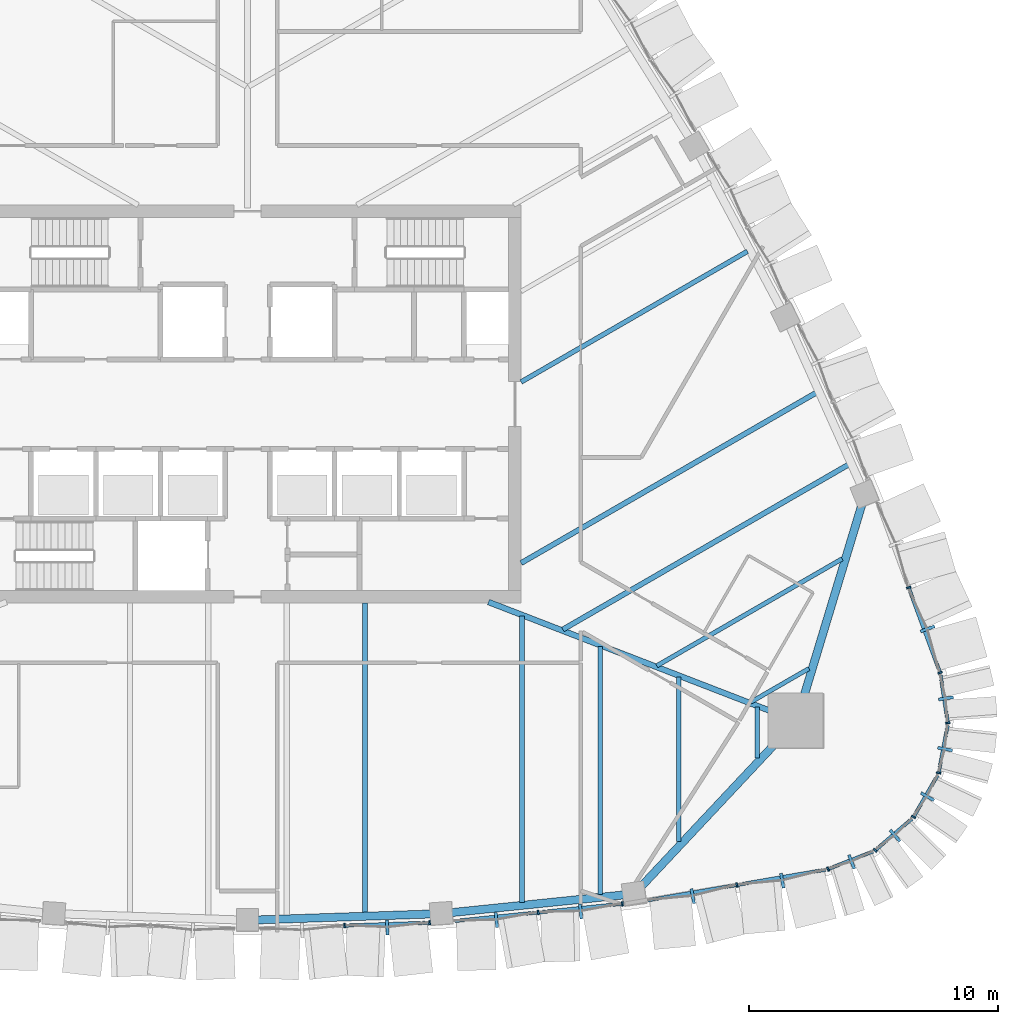
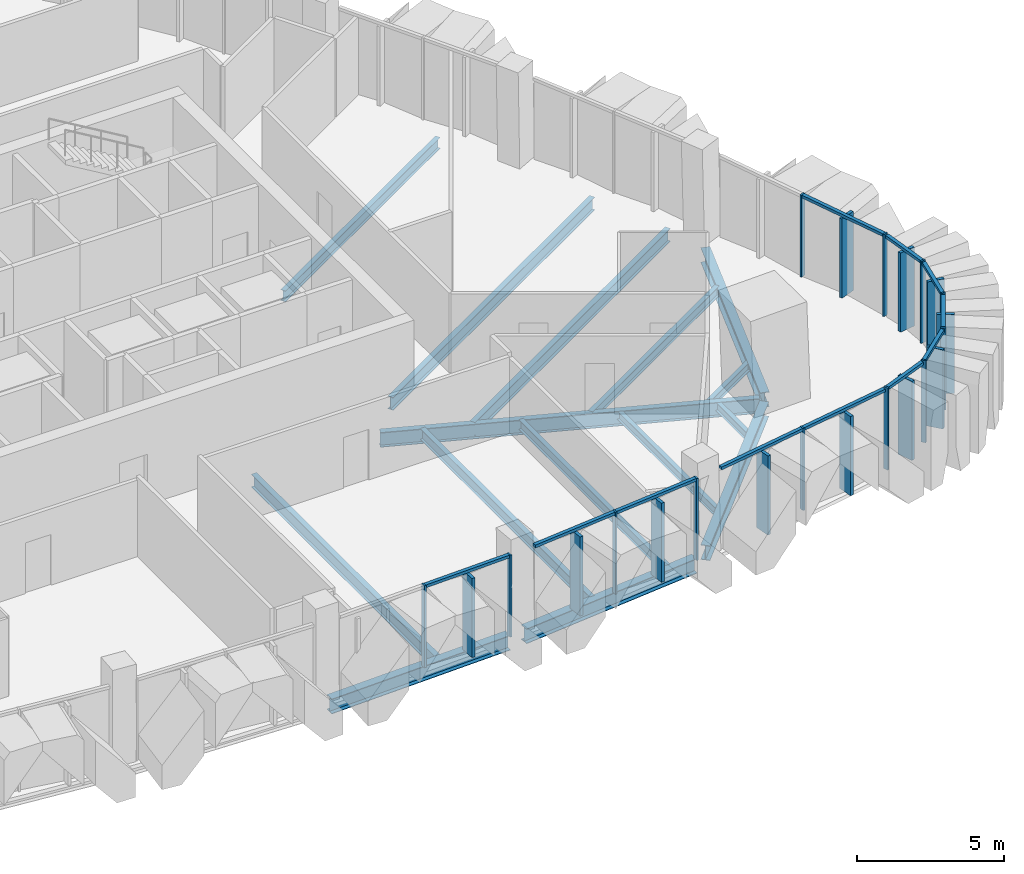
# One storey, part 4 of 20: 34 members, 15 beams, 9 elements without a shape of their own.
"""IFC4 building model written with IfcOpenShell, lengths in metres."""

from ifc_helpers import new_model, si_unit, direction, frame, origin, origin_2d, place, context, subcontext, project, spatial, rectangle, i_section, extrude, material, layer, layer_set, material_profile, profile_set, type_object, element, aggregate, save


model = new_model("IFC4")

# Units and contexts
model_context = context("Model", 3, precision=1e-05, world=origin(), true_north=direction((0.0, 1.0)))
body_context = subcontext(model_context, "Body", "Model", "MODEL_VIEW")
ifc_project = project(units=[si_unit("LENGTHUNIT", "METRE"), si_unit("AREAUNIT", "SQUARE_METRE"), si_unit("VOLUMEUNIT", "CUBIC_METRE"), si_unit("PLANEANGLEUNIT", "RADIAN"), si_unit("MASSUNIT", "GRAM", prefix="KILO")], contexts=[model_context])

# Site, building, storey
site_placement = place(None, origin())
site = spatial("IfcSite", under=ifc_project, at=site_placement, CompositionType="ELEMENT")
building_placement = place(site_placement, origin())
building = spatial("IfcBuilding", under=site, at=building_placement, Name="Sierra Prisma Convention Tower", CompositionType="ELEMENT")
storey_placement = place(building_placement, frame((0.0, 0.0, 239.0)))
storey = spatial("IfcBuildingStorey", under=building, at=storey_placement, Name="L53", CompositionType="ELEMENT", Elevation=239.0)

# Curtain wall, member
ifc_material_1 = material(Name="Aluminium and glass curtain wall", Category="aluminium")
ifc_layer = layer(ifc_material_1, 0.179931640625)
ifc_layer_set = layer_set([ifc_layer], Name="CW-2 Faceted crystal curtain wall")
curtain_wall_type = type_object("IfcCurtainWallType", Name="CW-2 Faceted crystal curtain wall", PredefinedType="NOTDEFINED", material=ifc_layer_set)
curtain_wall_1_placement = place(storey_placement, origin())
curtain_wall_1 = element("IfcCurtainWall", 1, at=curtain_wall_1_placement, inside=storey, type_object=curtain_wall_type, Name="CW-2 S4 L53", PredefinedType="NOTDEFINED")
ifc_material_2 = material(Name="Aluminium 6063-T6 bronze anodised", Category="aluminium")
ifc_material_profile_1 = material_profile(ifc_material_2, rectangle(XDim=0.1201171875, YDim=0.60009765625, at=origin_2d()), Name="ALU RIDGE BLADE 120x600")
ifc_profile_set_1 = profile_set([ifc_material_profile_1], Name="Aluminium 6063-T6 bronze anodised")
member_type_1 = type_object("IfcMemberType", Name="CW hip bronze", PredefinedType="MULLION", material=ifc_profile_set_1)
member_1_placement = place(storey_placement, frame((5.6162109375, -21.041748046875, 0.0), z_axis=(0.0, 0.0, 1.0), x_axis=(0.999417975782, 0.034113189286, 0.0)))
member_1 = element("IfcMember", 2, at=member_1_placement, type_object=member_type_1, Name="CW-2 ridge S4.2", PredefinedType="MULLION", context=body_context, shape_type="SweptSolid", body=[
    extrude(rectangle(XDim=0.1201171875, YDim=0.60009765625, at=origin_2d()), origin(), (0.0, 0.0, 1.0), 3.280029296875),
])

# Curtain wall, members
curtain_wall_2_placement = place(storey_placement, origin())
curtain_wall_2 = element("IfcCurtainWall", 3, at=curtain_wall_2_placement, inside=storey, type_object=curtain_wall_type, Name="CW-2 S5 L53", PredefinedType="NOTDEFINED")
member_2_placement = place(storey_placement, frame((10.0068359375, -20.74169921875, 0.0), z_axis=(0.0, 0.0, 1.0), x_axis=(0.994765846278, 0.102180776463, 0.0)))
member_2 = element("IfcMember", 4, at=member_2_placement, type_object=member_type_1, Name="CW-2 ridge S5.1", PredefinedType="MULLION", context=body_context, shape_type="SweptSolid", body=[
    extrude(rectangle(XDim=0.1201171875, YDim=0.60009765625, at=origin_2d()), origin(), (0.0, 0.0, 1.0), 3.280029296875),
])
member_3_placement = place(storey_placement, frame((13.39306640625, -20.393798828125, 0.0), z_axis=(0.0, 0.0, 1.0), x_axis=(0.994765846278, 0.102180776463, 0.0)))
member_3 = element("IfcMember", 5, at=member_3_placement, type_object=member_type_1, Name="CW-2 ridge S5.2", PredefinedType="MULLION", context=body_context, shape_type="SweptSolid", body=[
    extrude(rectangle(XDim=0.1201171875, YDim=0.60009765625, at=origin_2d()), origin(), (0.0, 0.0, 1.0), 3.280029296875),
])

curtain_wall_3_placement = place(storey_placement, origin())
curtain_wall_3 = element("IfcCurtainWall", 6, at=curtain_wall_3_placement, inside=storey, type_object=curtain_wall_type, Name="CW-2 S6 L53", PredefinedType="NOTDEFINED")
member_4_placement = place(storey_placement, frame((17.900146484375, -19.781982421875, 0.0), z_axis=(0.0, 0.0, 1.0), x_axis=(0.985483242185, 0.169772728587, 0.0)))
member_4 = element("IfcMember", 7, at=member_4_placement, type_object=member_type_1, Name="CW-2 ridge S6.1", PredefinedType="MULLION", context=body_context, shape_type="SweptSolid", body=[
    extrude(rectangle(XDim=0.1201171875, YDim=0.60009765625, at=origin_2d()), origin(), (0.0, 0.0, 1.0), 3.280029296875),
])
member_5_placement = place(storey_placement, frame((21.498291015625, -19.162109375, 0.0), z_axis=(0.0, 0.0, 1.0), x_axis=(0.985483242185, 0.169772728587, 0.0)))
member_5 = element("IfcMember", 8, at=member_5_placement, type_object=member_type_1, Name="CW-2 ridge S6.2", PredefinedType="MULLION", context=body_context, shape_type="SweptSolid", body=[
    extrude(rectangle(XDim=0.1201171875, YDim=0.60009765625, at=origin_2d()), origin(), (0.0, 0.0, 1.0), 3.280029296875),
])

# Curtain wall, member
curtain_wall_4_placement = place(storey_placement, origin())
curtain_wall_4 = element("IfcCurtainWall", 9, at=curtain_wall_4_placement, inside=storey, type_object=curtain_wall_type, Name="CW-2 SE1 L53", PredefinedType="NOTDEFINED")
member_6_placement = place(storey_placement, frame((24.28662109375, -18.404541015625, 0.0), z_axis=(0.0, 0.0, 1.0), x_axis=(0.93116008376, 0.364610612041, 0.0)))
member_6 = element("IfcMember", 10, at=member_6_placement, type_object=member_type_1, Name="CW-2 ridge SE1.1", PredefinedType="MULLION", context=body_context, shape_type="SweptSolid", body=[
    extrude(rectangle(XDim=0.1201171875, YDim=0.60009765625, at=origin_2d()), origin(), (0.0, 0.0, 1.0), 3.280029296875),
])

curtain_wall_5_placement = place(storey_placement, origin())
curtain_wall_5 = element("IfcCurtainWall", 11, at=curtain_wall_5_placement, inside=storey, type_object=curtain_wall_type, Name="CW-2 SE2 L53", PredefinedType="NOTDEFINED")
member_7_placement = place(storey_placement, frame((26.0341796875, -17.352783203125, 0.0), z_axis=(0.0, 0.0, 1.0), x_axis=(0.758227534895, 0.651990034684, 0.0)))
member_7 = element("IfcMember", 12, at=member_7_placement, type_object=member_type_1, Name="CW-2 ridge SE2.1", PredefinedType="MULLION", context=body_context, shape_type="SweptSolid", body=[
    extrude(rectangle(XDim=0.1201171875, YDim=0.60009765625, at=origin_2d()), origin(), (0.0, 0.0, 1.0), 3.280029296875),
])

curtain_wall_6_placement = place(storey_placement, origin())
curtain_wall_6 = element("IfcCurtainWall", 13, at=curtain_wall_6_placement, inside=storey, type_object=curtain_wall_type, Name="CW-2 SE3 L53", PredefinedType="NOTDEFINED")
member_8_placement = place(storey_placement, frame((27.3359375, -15.782470703125, 0.0), z_axis=(0.0, 0.0, 1.0), x_axis=(0.5, 0.866025403784, 0.0)))
member_8 = element("IfcMember", 14, at=member_8_placement, type_object=member_type_1, Name="CW-2 ridge SE3.1", PredefinedType="MULLION", context=body_context, shape_type="SweptSolid", body=[
    extrude(rectangle(XDim=0.1201171875, YDim=0.60009765625, at=origin_2d()), origin(), (0.0, 0.0, 1.0), 3.280029296875),
])

curtain_wall_7_placement = place(storey_placement, origin())
curtain_wall_7 = element("IfcCurtainWall", 15, at=curtain_wall_7_placement, inside=storey, type_object=curtain_wall_type, Name="CW-2 SE4 L53", PredefinedType="NOTDEFINED")
member_9_placement = place(storey_placement, frame((28.045166015625, -13.869873046875, 0.0), z_axis=(0.0, 0.0, 1.0), x_axis=(0.185526165603, 0.98263932441, 0.0)))
member_9 = element("IfcMember", 16, at=member_9_placement, type_object=member_type_1, Name="CW-2 ridge SE4.1", PredefinedType="MULLION", context=body_context, shape_type="SweptSolid", body=[
    extrude(rectangle(XDim=0.1201171875, YDim=0.60009765625, at=origin_2d()), origin(), (0.0, 0.0, 1.0), 3.280029296875),
])

curtain_wall_8_placement = place(storey_placement, origin())
curtain_wall_8 = element("IfcCurtainWall", 17, at=curtain_wall_8_placement, inside=storey, type_object=curtain_wall_type, Name="CW-2 SE5 L53", PredefinedType="NOTDEFINED")
member_10_placement = place(storey_placement, frame((28.08203125, -11.83056640625, 0.0), z_axis=(0.0, 0.0, 1.0), x_axis=(-0.149817989363, 0.988713593546, 0.0)))
member_10 = element("IfcMember", 18, at=member_10_placement, type_object=member_type_1, Name="CW-2 ridge SE5.1", PredefinedType="MULLION", context=body_context, shape_type="SweptSolid", body=[
    extrude(rectangle(XDim=0.1201171875, YDim=0.60009765625, at=origin_2d()), origin(), (0.0, 0.0, 1.0), 3.280029296875),
])

curtain_wall_9_placement = place(storey_placement, origin())
curtain_wall_9 = element("IfcCurtainWall", 19, at=curtain_wall_9_placement, inside=storey, type_object=curtain_wall_type, Name="CW-2 NE1 L53", PredefinedType="NOTDEFINED")
member_11_placement = place(storey_placement, frame((27.343994140625, -9.036865234375, 0.0), z_axis=(0.0, 0.0, 1.0), x_axis=(-0.345714125267, 0.93833988703, 0.0)))
member_11 = element("IfcMember", 20, at=member_11_placement, type_object=member_type_1, Name="CW-2 ridge NE1.1", PredefinedType="MULLION", context=body_context, shape_type="SweptSolid", body=[
    extrude(rectangle(XDim=0.1201171875, YDim=0.60009765625, at=origin_2d()), origin(), (0.0, 0.0, 1.0), 3.280029296875),
])

# Member
ifc_material_3 = material(Name="Aluminium 6063-T6 bronze anodised", Category="aluminium")
ifc_material_profile_2 = material_profile(ifc_material_3, rectangle(XDim=0.179931640625, YDim=0.070068359375, at=origin_2d()), Name="ALU MULLION 70x180")
ifc_profile_set_2 = profile_set([ifc_material_profile_2], Name="Aluminium 6063-T6 bronze anodised")
member_type_2 = type_object("IfcMemberType", Name="CW mullion bronze", PredefinedType="MULLION", material=ifc_profile_set_2)
member_12_placement = place(storey_placement, frame((3.90283203125, -20.96826171875, 0.0), z_axis=(0.0, 0.0, 1.0), x_axis=(-0.034113189286, 0.999417975782, 0.0)))
member_12 = element("IfcMember", 21, at=member_12_placement, type_object=member_type_2, Name="CW-1 mullion S4.2", PredefinedType="MULLION", context=body_context, shape_type="SweptSolid", body=[
    extrude(rectangle(XDim=0.179931640625, YDim=0.070068359375, at=origin_2d()), origin(), (0.0, 0.0, 1.0), 3.39990234375),
])

member_13_placement = place(storey_placement, frame((7.32080078125, -20.8515625, 0.0), z_axis=(0.0, 0.0, 1.0), x_axis=(-0.034113189286, 0.999417975782, 0.0)))
member_13 = element("IfcMember", 22, at=member_13_placement, type_object=member_type_2, Name="CW-1 mullion S4.3", PredefinedType="MULLION", context=body_context, shape_type="SweptSolid", body=[
    extrude(rectangle(XDim=0.179931640625, YDim=0.070068359375, at=origin_2d()), origin(), (0.0, 0.0, 1.0), 3.39990234375),
])

member_14_placement = place(storey_placement, frame((11.6865234375, -20.437255859375, 0.0), z_axis=(0.0, 0.0, 1.0), x_axis=(-0.102180776463, 0.994765846278, 0.0)))
member_14 = element("IfcMember", 23, at=member_14_placement, type_object=member_type_2, Name="CW-1 mullion S5.2", PredefinedType="MULLION", context=body_context, shape_type="SweptSolid", body=[
    extrude(rectangle(XDim=0.179931640625, YDim=0.070068359375, at=origin_2d()), origin(), (0.0, 0.0, 1.0), 3.39990234375),
])

member_15_placement = place(storey_placement, frame((15.07275390625, -20.08935546875, 0.0), z_axis=(0.0, 0.0, 1.0), x_axis=(-0.102180776463, 0.994765846278, 0.0)))
member_15 = element("IfcMember", 24, at=member_15_placement, type_object=member_type_2, Name="CW-1 mullion S5.3", PredefinedType="MULLION", context=body_context, shape_type="SweptSolid", body=[
    extrude(rectangle(XDim=0.179931640625, YDim=0.070068359375, at=origin_2d()), origin(), (0.0, 0.0, 1.0), 3.39990234375),
])

member_16_placement = place(storey_placement, frame((19.67529296875, -19.3330078125, 0.0), z_axis=(0.0, 0.0, 1.0), x_axis=(-0.169772728587, 0.985483242185, 0.0)))
member_16 = element("IfcMember", 25, at=member_16_placement, type_object=member_type_2, Name="CW-1 mullion S6.2", PredefinedType="MULLION", context=body_context, shape_type="SweptSolid", body=[
    extrude(rectangle(XDim=0.179931640625, YDim=0.070068359375, at=origin_2d()), origin(), (0.0, 0.0, 1.0), 3.39990234375),
])

member_17_placement = place(storey_placement, frame((23.34033203125, -18.694580078125, 0.0), z_axis=(0.0, 0.0, 1.0), x_axis=(-0.364610612041, 0.93116008376, 0.0)))
member_17 = element("IfcMember", 26, at=member_17_placement, type_object=member_type_2, Name="CW-1 mullion SE1.1", PredefinedType="MULLION", context=body_context, shape_type="SweptSolid", body=[
    extrude(rectangle(XDim=0.179931640625, YDim=0.070068359375, at=origin_2d()), origin(), (0.0, 0.0, 1.0), 3.39990234375),
])

member_18_placement = place(storey_placement, frame((25.2373046875, -17.939453125, 0.0), z_axis=(0.0, 0.0, 1.0), x_axis=(-0.651990034684, 0.758227534895, 0.0)))
member_18 = element("IfcMember", 27, at=member_18_placement, type_object=member_type_2, Name="CW-1 mullion SE2.1", PredefinedType="MULLION", context=body_context, shape_type="SweptSolid", body=[
    extrude(rectangle(XDim=0.179931640625, YDim=0.070068359375, at=origin_2d()), origin(), (0.0, 0.0, 1.0), 3.39990234375),
])

member_19_placement = place(storey_placement, frame((26.777587890625, -16.599609375, 0.0), z_axis=(0.0, 0.0, 1.0), x_axis=(-0.866025403784, 0.5, 0.0)))
member_19 = element("IfcMember", 28, at=member_19_placement, type_object=member_type_2, Name="CW-1 mullion SE3.1", PredefinedType="MULLION", context=body_context, shape_type="SweptSolid", body=[
    extrude(rectangle(XDim=0.179931640625, YDim=0.070068359375, at=origin_2d()), origin(), (0.0, 0.0, 1.0), 3.39990234375),
])

member_20_placement = place(storey_placement, frame((27.788330078125, -14.82568359375, 0.0), z_axis=(0.0, 0.0, 1.0), x_axis=(-0.98263932441, 0.185526165603, 0.0)))
member_20 = element("IfcMember", 29, at=member_20_placement, type_object=member_type_2, Name="CW-1 mullion SE4.1", PredefinedType="MULLION", context=body_context, shape_type="SweptSolid", body=[
    extrude(rectangle(XDim=0.179931640625, YDim=0.070068359375, at=origin_2d()), origin(), (0.0, 0.0, 1.0), 3.39990234375),
])

member_21_placement = place(storey_placement, frame((28.15576171875, -12.8173828125, 0.0), z_axis=(0.0, 0.0, 1.0), x_axis=(-0.988713593546, -0.149817989363, 0.0)))
member_21 = element("IfcMember", 30, at=member_21_placement, type_object=member_type_2, Name="CW-1 mullion SE5.1", PredefinedType="MULLION", context=body_context, shape_type="SweptSolid", body=[
    extrude(rectangle(XDim=0.179931640625, YDim=0.070068359375, at=origin_2d()), origin(), (0.0, 0.0, 1.0), 3.39990234375),
])

member_22_placement = place(storey_placement, frame((27.8427734375, -10.798583984375, 0.0), z_axis=(0.0, 0.0, 1.0), x_axis=(-0.93833988703, -0.345714125267, 0.0)))
member_22 = element("IfcMember", 31, at=member_22_placement, type_object=member_type_2, Name="CW-1 mullion NE1.1", PredefinedType="MULLION", context=body_context, shape_type="SweptSolid", body=[
    extrude(rectangle(XDim=0.179931640625, YDim=0.070068359375, at=origin_2d()), origin(), (0.0, 0.0, 1.0), 3.39990234375),
])

member_23_placement = place(storey_placement, frame((26.58056640625, -7.37255859375, 0.0), z_axis=(0.0, 0.0, 1.0), x_axis=(-0.93833988703, -0.345714125267, 0.0)))
member_23 = element("IfcMember", 32, at=member_23_placement, type_object=member_type_2, Name="CW-1 mullion NE1.2", PredefinedType="MULLION", context=body_context, shape_type="SweptSolid", body=[
    extrude(rectangle(XDim=0.179931640625, YDim=0.070068359375, at=origin_2d()), origin(), (0.0, 0.0, 1.0), 3.39990234375),
])

ifc_material_4 = material(Name="Aluminium 6063-T6 bronze anodised", Category="aluminium")
ifc_material_profile_3 = material_profile(ifc_material_4, rectangle(XDim=0.139892578125, YDim=0.1201171875, at=origin_2d()), Name="ALU TRANSOM 120x140")
ifc_profile_set_3 = profile_set([ifc_material_profile_3], Name="Aluminium 6063-T6 bronze anodised")
member_type_3 = type_object("IfcMemberType", Name="CW transom bronze", PredefinedType="USERDEFINED", material=ifc_profile_set_3)
member_24_placement = place(storey_placement, frame((3.937744140625, -20.967041015625, 3.340087890625), z_axis=(0.999418141233, 0.034108341727, 0.0), x_axis=(-0.034108341727, 0.999418141233, 0.0)))
member_24 = element("IfcMember", 33, at=member_24_placement, type_object=member_type_3, Name="CW-1 transom S4.2", ObjectType="TRANSOM", PredefinedType="USERDEFINED", context=body_context, shape_type="SweptSolid", body=[
    extrude(rectangle(XDim=0.139892578125, YDim=0.1201171875, at=origin_2d()), origin(), (0.0, 0.0, 1.0), 3.349853515625),
])

aggregate(curtain_wall_1, [member_12, member_13, member_24, member_1])

member_25_placement = place(storey_placement, frame((8.3349609375, -20.781494140625, 3.340087890625), z_axis=(0.994761600976, 0.102222097531, 0.0), x_axis=(-0.102222097531, 0.994761600976, 0.0)))
member_25 = element("IfcMember", 34, at=member_25_placement, type_object=member_type_3, Name="CW-1 transom S5.1", ObjectType="TRANSOM", PredefinedType="USERDEFINED", context=body_context, shape_type="SweptSolid", body=[
    extrude(rectangle(XDim=0.139892578125, YDim=0.1201171875, at=origin_2d()), origin(), (0.0, 0.0, 1.0), 3.334228515625),
])

member_26_placement = place(storey_placement, frame((11.72119140625, -20.43359375, 3.340087890625), z_axis=(0.994769044395, 0.102149636874, 0.0), x_axis=(-0.102149636874, 0.994769044395, 0.0)))
member_26 = element("IfcMember", 35, at=member_26_placement, type_object=member_type_3, Name="CW-1 transom S5.2", ObjectType="TRANSOM", PredefinedType="USERDEFINED", context=body_context, shape_type="SweptSolid", body=[
    extrude(rectangle(XDim=0.139892578125, YDim=0.1201171875, at=origin_2d()), origin(), (0.0, 0.0, 1.0), 3.333984375),
])

aggregate(curtain_wall_2, [member_14, member_15, member_25, member_2, member_26, member_3])

member_27_placement = place(storey_placement, frame((16.111572265625, -19.947021484375, 3.340087890625), z_axis=(0.985485690294, 0.169758517387, 0.0), x_axis=(-0.169758517387, 0.985485690294, 0.0)))
member_27 = element("IfcMember", 36, at=member_27_placement, type_object=member_type_3, Name="CW-1 transom S6.1", ObjectType="TRANSOM", PredefinedType="USERDEFINED", context=body_context, shape_type="SweptSolid", body=[
    extrude(rectangle(XDim=0.139892578125, YDim=0.1201171875, at=origin_2d()), origin(), (0.0, 0.0, 1.0), 3.5810546875),
])

member_28_placement = place(storey_placement, frame((19.709716796875, -19.3271484375, 3.340087890625), z_axis=(0.985485690294, 0.169758517387, 0.0), x_axis=(-0.169758517387, 0.985485690294, 0.0)))
member_28 = element("IfcMember", 37, at=member_28_placement, type_object=member_type_3, Name="CW-1 transom S6.2", ObjectType="TRANSOM", PredefinedType="USERDEFINED", context=body_context, shape_type="SweptSolid", body=[
    extrude(rectangle(XDim=0.139892578125, YDim=0.1201171875, at=origin_2d()), origin(), (0.0, 0.0, 1.0), 3.5810546875),
])

aggregate(curtain_wall_3, [member_16, member_27, member_4, member_28, member_5])

member_29_placement = place(storey_placement, frame((23.373046875, -18.681640625, 3.340087890625), z_axis=(0.931193568468, 0.364525085618, 0.0), x_axis=(-0.364525085618, 0.931193568468, 0.0)))
member_29 = element("IfcMember", 38, at=member_29_placement, type_object=member_type_3, Name="CW-1 transom SE1.1", ObjectType="TRANSOM", PredefinedType="USERDEFINED", context=body_context, shape_type="SweptSolid", body=[
    extrude(rectangle(XDim=0.139892578125, YDim=0.1201171875, at=origin_2d()), origin(), (0.0, 0.0, 1.0), 1.9033203125),
])

aggregate(curtain_wall_4, [member_17, member_29, member_6])

member_30_placement = place(storey_placement, frame((25.263671875, -17.91650390625, 3.340087890625), z_axis=(0.758268887432, 0.651941940937, 0.0), x_axis=(-0.651941940937, 0.758268887432, 0.0)))
member_30 = element("IfcMember", 39, at=member_30_placement, type_object=member_type_3, Name="CW-1 transom SE2.1", ObjectType="TRANSOM", PredefinedType="USERDEFINED", context=body_context, shape_type="SweptSolid", body=[
    extrude(rectangle(XDim=0.139892578125, YDim=0.1201171875, at=origin_2d()), origin(), (0.0, 0.0, 1.0), 1.903564453125),
])

aggregate(curtain_wall_5, [member_18, member_30, member_7])

member_31_placement = place(storey_placement, frame((26.795166015625, -16.569091796875, 3.340087890625), z_axis=(0.49997412077, 0.866040344649, 0.0), x_axis=(-0.866040344649, 0.49997412077, 0.0)))
member_31 = element("IfcMember", 40, at=member_31_placement, type_object=member_type_3, Name="CW-1 transom SE3.1", ObjectType="TRANSOM", PredefinedType="USERDEFINED", context=body_context, shape_type="SweptSolid", body=[
    extrude(rectangle(XDim=0.139892578125, YDim=0.1201171875, at=origin_2d()), origin(), (0.0, 0.0, 1.0), 1.9033203125),
])

aggregate(curtain_wall_6, [member_19, member_31, member_8])

member_32_placement = place(storey_placement, frame((27.794921875, -14.791259765625, 3.340087890625), z_axis=(0.185473292757, 0.982649305538, 0.0), x_axis=(-0.982649305538, 0.185473292757, 0.0)))
member_32 = element("IfcMember", 41, at=member_32_placement, type_object=member_type_3, Name="CW-1 transom SE4.1", ObjectType="TRANSOM", PredefinedType="USERDEFINED", context=body_context, shape_type="SweptSolid", body=[
    extrude(rectangle(XDim=0.139892578125, YDim=0.1201171875, at=origin_2d()), origin(), (0.0, 0.0, 1.0), 1.9033203125),
])

aggregate(curtain_wall_7, [member_20, member_32, member_9])

member_33_placement = place(storey_placement, frame((28.150634765625, -12.78271484375, 3.340087890625), z_axis=(-0.149801580138, 0.988716079867, 0.0), x_axis=(-0.988716079867, -0.149801580138, 0.0)))
member_33 = element("IfcMember", 42, at=member_33_placement, type_object=member_type_3, Name="CW-1 transom SE5.1", ObjectType="TRANSOM", PredefinedType="USERDEFINED", context=body_context, shape_type="SweptSolid", body=[
    extrude(rectangle(XDim=0.139892578125, YDim=0.1201171875, at=origin_2d()), origin(), (0.0, 0.0, 1.0), 1.903564453125),
])

aggregate(curtain_wall_8, [member_21, member_33, member_10])

member_34_placement = place(storey_placement, frame((27.830810546875, -10.765869140625, 3.340087890625), z_axis=(-0.345768541877, 0.938319836435, 0.0), x_axis=(-0.938319836435, -0.345768541877, 0.0)))
member_34 = element("IfcMember", 43, at=member_34_placement, type_object=member_type_3, Name="CW-1 transom NE1.1", ObjectType="TRANSOM", PredefinedType="USERDEFINED", context=body_context, shape_type="SweptSolid", body=[
    extrude(rectangle(XDim=0.139892578125, YDim=0.1201171875, at=origin_2d()), origin(), (0.0, 0.0, 1.0), 3.581298828125),
])

aggregate(curtain_wall_9, [member_22, member_23, member_34, member_11])

# Beams
ifc_material_5 = material(Name="Steel ASTM A992 Gr 50", Category="steel")
ifc_material_profile_4 = material_profile(ifc_material_5, i_section(OverallWidth=0.172119140625, OverallDepth=0.35791015625, WebThickness=0.0078125, FlangeThickness=0.01318359375, at=origin_2d()), Name="W360x57")
ifc_profile_set_4 = profile_set([ifc_material_profile_4], Name="Steel ASTM A992 Gr 50")
beam_type_1 = type_object("IfcBeamType", Name="Floor joist W360x57", PredefinedType="JOIST", material=ifc_profile_set_4)
beam_1_placement = place(storey_placement, frame((17.340087890625, -17.5947265625, -0.3291015625), z_axis=(0.0, 1.0, 0.0), x_axis=(-1.0, 0.0, 0.0)))
element("IfcBeam", 44, at=beam_1_placement, inside=storey, type_object=beam_type_1, Name="Floor joist L53 S13", PredefinedType="JOIST", context=body_context, shape_type="SweptSolid", body=[
    extrude(i_section(OverallWidth=0.172119140625, OverallDepth=0.35791015625, WebThickness=0.0078125, FlangeThickness=0.01318359375, at=origin_2d()), origin(), (0.0, 0.0, 1.0), 6.63134765625),
])
beam_2_placement = place(storey_placement, frame((20.492919921875, -14.234375, -0.3291015625), z_axis=(0.0, 1.0, 0.0), x_axis=(-1.0, 0.0, 0.0)))
element("IfcBeam", 45, at=beam_2_placement, inside=storey, type_object=beam_type_1, Name="Floor joist L53 S14", PredefinedType="JOIST", context=body_context, shape_type="SweptSolid", body=[
    extrude(i_section(OverallWidth=0.172119140625, OverallDepth=0.35791015625, WebThickness=0.0078125, FlangeThickness=0.01318359375, at=origin_2d()), origin(), (0.0, 0.0, 1.0), 2.052734375),
])
beam_3_placement = place(storey_placement, frame((22.57373046875, -10.630126953125, -0.3291015625), z_axis=(-0.866045775131, -0.499964714133, 0.0), x_axis=(0.499964714133, -0.866045775131, 0.0)))
element("IfcBeam", 46, at=beam_3_placement, inside=storey, type_object=beam_type_1, Name="Floor joist L53 NE01", PredefinedType="JOIST", context=body_context, shape_type="SweptSolid", body=[
    extrude(i_section(OverallWidth=0.172119140625, OverallDepth=0.35791015625, WebThickness=0.0078125, FlangeThickness=0.01318359375, at=origin_2d()), origin(), (0.0, 0.0, 1.0), 2.704345703125),
])
ifc_material_6 = material(Name="Steel ASTM A992 Gr 50", Category="steel")
ifc_material_profile_5 = material_profile(ifc_material_6, i_section(OverallWidth=0.177978515625, OverallDepth=0.406982421875, WebThickness=0.0078125, FlangeThickness=0.0126953125, at=origin_2d()), Name="W410x60")
ifc_profile_set_5 = profile_set([ifc_material_profile_5], Name="Steel ASTM A992 Gr 50")
beam_type_2 = type_object("IfcBeamType", Name="Floor joist W410x60", PredefinedType="JOIST", material=ifc_profile_set_5)
beam_4_placement = place(storey_placement, frame((14.187255859375, -19.71533203125, -0.353515625), z_axis=(0.0, 1.0, 0.0), x_axis=(-1.0, 0.0, 0.0)))
element("IfcBeam", 47, at=beam_4_placement, inside=storey, type_object=beam_type_2, Name="Floor joist L53 S12", PredefinedType="JOIST", context=body_context, shape_type="SweptSolid", body=[
    extrude(i_section(OverallWidth=0.177978515625, OverallDepth=0.406982421875, WebThickness=0.0078125, FlangeThickness=0.0126953125, at=origin_2d()), origin(), (0.0, 0.0, 1.0), 9.970458984375),
])
beam_5_placement = place(storey_placement, frame((23.907470703125, -6.2197265625, -0.353515625), z_axis=(-0.866034883057, -0.499983581059, 0.0), x_axis=(0.499983581059, -0.866034883057, 0.0)))
element("IfcBeam", 48, at=beam_5_placement, inside=storey, type_object=beam_type_2, Name="Floor joist L53 NE02", PredefinedType="JOIST", context=body_context, shape_type="SweptSolid", body=[
    extrude(i_section(OverallWidth=0.177978515625, OverallDepth=0.406982421875, WebThickness=0.0078125, FlangeThickness=0.0126953125, at=origin_2d()), origin(), (0.0, 0.0, 1.0), 8.605712890625),
])
ifc_material_7 = material(Name="Steel ASTM A992 Gr 50", Category="steel")
ifc_material_profile_6 = material_profile(ifc_material_7, i_section(OverallWidth=0.18994140625, OverallDepth=0.45703125, WebThickness=0.009033203125, FlangeThickness=0.014404296875, at=origin_2d()), Name="W460x74")
ifc_profile_set_6 = profile_set([ifc_material_profile_6], Name="Steel ASTM A992 Gr 50")
beam_type_3 = type_object("IfcBeamType", Name="Floor joist W460x74", PredefinedType="JOIST", material=ifc_profile_set_6)
beam_6_placement = place(storey_placement, frame((11.03466796875, -20.039306640625, -0.37841796875), z_axis=(0.0, 1.0, 0.0), x_axis=(-1.0, 0.0, 0.0)))
element("IfcBeam", 49, at=beam_6_placement, inside=storey, type_object=beam_type_3, Name="Floor joist L53 S11", PredefinedType="JOIST", context=body_context, shape_type="SweptSolid", body=[
    extrude(i_section(OverallWidth=0.18994140625, OverallDepth=0.45703125, WebThickness=0.009033203125, FlangeThickness=0.014404296875, at=origin_2d()), origin(), (0.0, 0.0, 1.0), 11.512939453125),
])
beam_7_placement = place(storey_placement, frame((20.0986328125, 6.14306640625, -0.37841796875), z_axis=(-0.866032345022, -0.499987977232, 0.0), x_axis=(0.499987977232, -0.866032345022, 0.0)))
element("IfcBeam", 50, at=beam_7_placement, inside=storey, type_object=beam_type_3, Name="Floor joist L53 NE06", PredefinedType="JOIST", context=body_context, shape_type="SweptSolid", body=[
    extrude(i_section(OverallWidth=0.18994140625, OverallDepth=0.45703125, WebThickness=0.009033203125, FlangeThickness=0.014404296875, at=origin_2d()), origin(), (0.0, 0.0, 1.0), 10.506103515625),
])
ifc_material_8 = material(Name="Steel ASTM A992 Gr 50", Category="steel")
ifc_material_profile_7 = material_profile(ifc_material_8, i_section(OverallWidth=0.208984375, OverallDepth=0.532958984375, WebThickness=0.01025390625, FlangeThickness=0.015625, at=origin_2d()), Name="W530x92")
ifc_profile_set_7 = profile_set([ifc_material_profile_7], Name="Steel ASTM A992 Gr 50")
beam_type_4 = type_object("IfcBeamType", Name="Floor joist W530x92", PredefinedType="JOIST", material=ifc_profile_set_7)
beam_8_placement = place(storey_placement, frame((4.72900390625, -20.477294921875, -0.41650390625), z_axis=(0.0, 1.0, 0.0), x_axis=(-1.0, 0.0, 0.0)))
element("IfcBeam", 51, at=beam_8_placement, inside=storey, type_object=beam_type_4, Name="Floor joist L53 S09", PredefinedType="JOIST", context=body_context, shape_type="SweptSolid", body=[
    extrude(i_section(OverallWidth=0.208984375, OverallDepth=0.532958984375, WebThickness=0.01025390625, FlangeThickness=0.015625, at=origin_2d()), origin(), (0.0, 0.0, 1.0), 12.477294921875),
])
beam_9_placement = place(storey_placement, frame((24.167724609375, -2.428955078125, -0.41650390625), z_axis=(-0.866028695061, -0.499994299299, 0.0), x_axis=(0.499994299299, -0.866028695061, 0.0)))
element("IfcBeam", 52, at=beam_9_placement, inside=storey, type_object=beam_type_4, Name="Floor joist L53 NE03", PredefinedType="JOIST", context=body_context, shape_type="SweptSolid", body=[
    extrude(i_section(OverallWidth=0.208984375, OverallDepth=0.532958984375, WebThickness=0.01025390625, FlangeThickness=0.015625, at=origin_2d()), origin(), (0.0, 0.0, 1.0), 13.267822265625),
])
beam_10_placement = place(storey_placement, frame((22.871826171875, 0.46337890625, -0.41650390625), z_axis=(-0.866023950423, -0.500002517287, 0.0), x_axis=(0.500002517287, -0.866023950423, 0.0)))
element("IfcBeam", 53, at=beam_10_placement, inside=storey, type_object=beam_type_4, Name="Floor joist L53 NE04", PredefinedType="JOIST", context=body_context, shape_type="SweptSolid", body=[
    extrude(i_section(OverallWidth=0.208984375, OverallDepth=0.532958984375, WebThickness=0.01025390625, FlangeThickness=0.015625, at=origin_2d()), origin(), (0.0, 0.0, 1.0), 13.70849609375),
])
ifc_material_9 = material(Name="Steel ASTM A992 Gr 50", Category="steel")
ifc_material_profile_8 = material_profile(ifc_material_9, i_section(OverallWidth=0.22998046875, OverallDepth=0.616943359375, WebThickness=0.01318359375, FlangeThickness=0.022216796875, at=origin_2d()), Name="W610x140")
ifc_profile_set_8 = profile_set([ifc_material_profile_8], Name="Steel ASTM A992 Gr 50")
beam_type_5 = type_object("IfcBeamType", Name="Radial girder W610x140", PredefinedType="BEAM", material=ifc_profile_set_8)
beam_11_placement = place(storey_placement, frame((21.84912109375, -12.65673828125, -0.45849609375), z_axis=(-0.932763792737, 0.360488150927, 0.0), x_axis=(-0.360488150927, -0.932763792737, 0.0)))
element("IfcBeam", 54, at=beam_11_placement, inside=storey, type_object=beam_type_5, Name="Radial girder L53 SE", PredefinedType="BEAM", context=body_context, shape_type="SweptSolid", body=[
    extrude(i_section(OverallWidth=0.22998046875, OverallDepth=0.616943359375, WebThickness=0.01318359375, FlangeThickness=0.022216796875, at=origin_2d()), origin(), (0.0, 0.0, 1.0), 13.037841796875),
])
ifc_material_10 = material(Name="Steel ASTM A992 Gr 50", Category="steel")
ifc_material_profile_9 = material_profile(ifc_material_10, i_section(OverallWidth=0.324951171875, OverallDepth=0.615966796875, WebThickness=0.013916015625, FlangeThickness=0.021484375, at=origin_2d()), Name="W610x174")
ifc_profile_set_9 = profile_set([ifc_material_profile_9], Name="Steel ASTM A992 Gr 50")
beam_type_6 = type_object("IfcBeamType", Name="Spandrel beam W610x174", PredefinedType="BEAM", material=ifc_profile_set_9)
for number, where, z_axis, x_axis, name in (
    (55, (0.330078125, -20.740234375, -0.4580078125), (0.999417238437, 0.03413478453, 0.0), (-0.03413478453, 0.999417238437, 0.0), "Spandrel L53-04"),
    (56, (8.122314453125, -20.45166015625, -0.4580078125), (0.994767454235, 0.102165121228, 0.0), (-0.102165121228, 0.994767454235, 0.0), "Spandrel L53-05"),
):
    element("IfcBeam", number, at=place(storey_placement, frame(where, z_axis=z_axis, x_axis=x_axis)), inside=storey, type_object=beam_type_6, Name=name, PredefinedType="BEAM", context=body_context, shape_type="SweptSolid", body=[
        extrude(i_section(OverallWidth=0.324951171875, OverallDepth=0.615966796875, WebThickness=0.013916015625, FlangeThickness=0.021484375, at=origin_2d()), origin(), (0.0, 0.0, 1.0), 7.137939453125),
    ])
beam_12_placement = place(storey_placement, frame((15.86572265625, -19.353759765625, -0.4580078125), z_axis=(0.684213486017, 0.72928177377, 0.0), x_axis=(-0.72928177377, 0.684213486017, 0.0)))
element("IfcBeam", 57, at=beam_12_placement, inside=storey, type_object=beam_type_6, Name="Spandrel L53-06", PredefinedType="BEAM", context=body_context, shape_type="SweptSolid", body=[
    extrude(i_section(OverallWidth=0.324951171875, OverallDepth=0.615966796875, WebThickness=0.013916015625, FlangeThickness=0.021484375, at=origin_2d()), origin(), (0.0, 0.0, 1.0), 8.764892578125),
])
beam_13_placement = place(storey_placement, frame((22.1357421875, -12.521728515625, -0.4580078125), z_axis=(0.28945602351, 0.957191313403, 0.0), x_axis=(-0.957191313403, 0.28945602351, 0.0)))
element("IfcBeam", 58, at=beam_13_placement, inside=storey, type_object=beam_type_6, Name="Spandrel L53-07", PredefinedType="BEAM", context=body_context, shape_type="SweptSolid", body=[
    extrude(i_section(OverallWidth=0.324951171875, OverallDepth=0.615966796875, WebThickness=0.013916015625, FlangeThickness=0.021484375, at=origin_2d()), origin(), (0.0, 0.0, 1.0), 8.836669921875),
])

save(model, "model.ifc")
